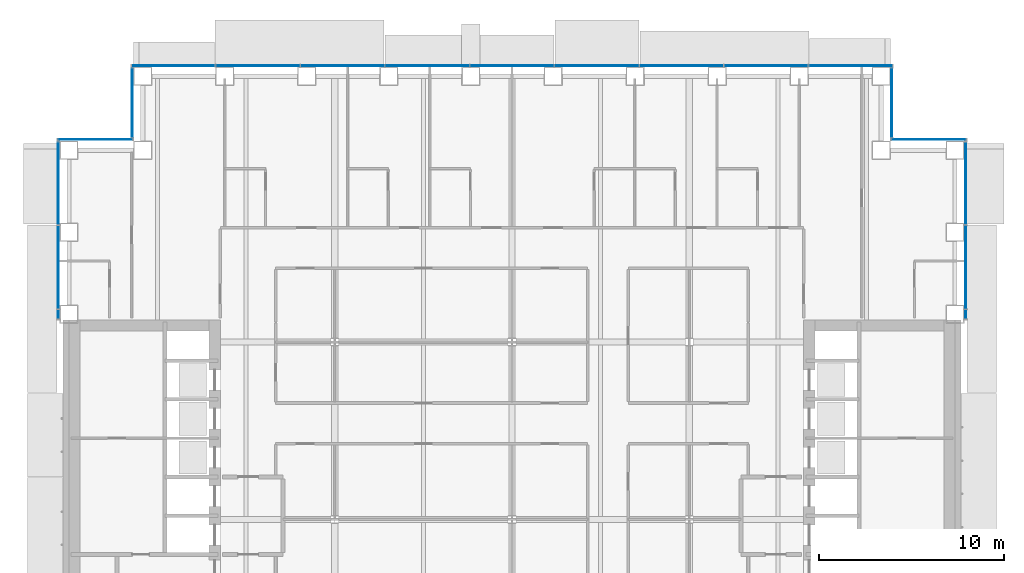
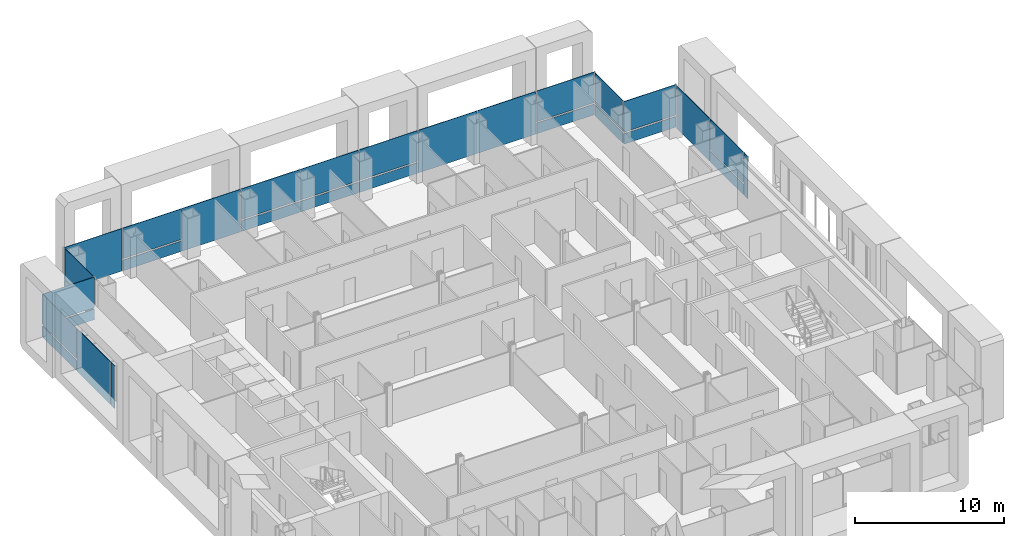
# One storey, part 13 of 25: 30 plates, 7 elements without a shape of their own.
"""IFC4 building model written with IfcOpenShell, lengths in metres."""

from ifc_helpers import new_model, si_unit, direction, frame, origin, origin_2d, place, context, subcontext, project, spatial, rectangle, extrude, material, layer, layer_set, type_object, element, aggregate, save


model = new_model("IFC4")

# Units and contexts
model_context = context("Model", 3, precision=1e-05, world=origin(), true_north=direction((0.0, 1.0)))
body_context = subcontext(model_context, "Body", "Model", "MODEL_VIEW")
ifc_project = project(units=[si_unit("LENGTHUNIT", "METRE"), si_unit("AREAUNIT", "SQUARE_METRE"), si_unit("VOLUMEUNIT", "CUBIC_METRE"), si_unit("PLANEANGLEUNIT", "RADIAN"), si_unit("MASSUNIT", "GRAM", prefix="KILO")], contexts=[model_context])

# Site, building, storey
site_placement = place(None, origin())
site = spatial("IfcSite", under=ifc_project, at=site_placement, CompositionType="ELEMENT")
building_placement = place(site_placement, origin())
building = spatial("IfcBuilding", under=site, at=building_placement, Name="Cobrizo Arcos Hotel Tower", CompositionType="ELEMENT")
storey_placement = place(building_placement, frame((0.0, 0.0, 53.0)))
storey = spatial("IfcBuildingStorey", under=building, at=storey_placement, Name="L11", CompositionType="ELEMENT", Elevation=53.0)

# Curtain wall, plate
ifc_material_1 = material(Name="Aluminium 6063-T6 anodised bronze", Category="aluminium")
curtain_wall_type = type_object("IfcCurtainWallType", Name="CW-A guest facade", PredefinedType="NOTDEFINED", material=ifc_material_1)
curtain_wall_1_placement = place(storey_placement, origin())
curtain_wall_1 = element("IfcCurtainWall", 1, at=curtain_wall_1_placement, inside=storey, type_object=curtain_wall_type, Name="CW-A L11 E face", PredefinedType="NOTDEFINED")
ifc_material_2 = material(Name="Glass clear laminated low-e", Category="glass")
ifc_layer_1 = layer(ifc_material_2, 0.0400390625)
ifc_layer_set_1 = layer_set([ifc_layer_1], Name="CW-A glass panel")
plate_type_1 = type_object("IfcPlateType", Name="CW-A glass panel", PredefinedType="CURTAIN_PANEL", material=ifc_layer_set_1)
plate_1_placement = place(storey_placement, frame((24.574951171875, 13.666748046875, 0.990234375), z_axis=(0.0, 0.0, 1.0), x_axis=(0.0, 1.0, 0.0)))
plate_1 = element("IfcPlate", 2, at=plate_1_placement, type_object=plate_type_1, Name="CW-A glass panel 528", PredefinedType="CURTAIN_PANEL", context=body_context, shape_type="SweptSolid", body=[
    extrude(rectangle(XDim=4.49560546875, YDim=0.0400390625, at=origin_2d()), origin(), (0.0, 0.0, 1.0), 2.510009765625),
])

curtain_wall_2_placement = place(storey_placement, origin())
curtain_wall_2 = element("IfcCurtainWall", 3, at=curtain_wall_2_placement, inside=storey, type_object=curtain_wall_type, Name="CW-A L11 N face", PredefinedType="NOTDEFINED")
plate_2_placement = place(storey_placement, frame((22.574951171875, 20.574951171875, 0.990234375), z_axis=(0.0, 0.0, 1.0), x_axis=(-1.0, 0.0, 0.0)))
plate_2 = element("IfcPlate", 4, at=plate_2_placement, type_object=plate_type_1, Name="CW-A glass panel 530", PredefinedType="CURTAIN_PANEL", context=body_context, shape_type="SweptSolid", body=[
    extrude(rectangle(XDim=4.030029296875, YDim=0.0400390625, at=origin_2d()), origin(), (0.0, 0.0, 1.0), 2.510009765625),
])

curtain_wall_3_placement = place(storey_placement, origin())
curtain_wall_3 = element("IfcCurtainWall", 5, at=curtain_wall_3_placement, inside=storey, type_object=curtain_wall_type, Name="CW-A L11 E face", PredefinedType="NOTDEFINED")
plate_3_placement = place(storey_placement, frame((20.574951171875, 22.574951171875, 0.990234375), z_axis=(0.0, 0.0, 1.0), x_axis=(0.0, 1.0, 0.0)))
plate_3 = element("IfcPlate", 6, at=plate_3_placement, type_object=plate_type_1, Name="CW-A glass panel 531", PredefinedType="CURTAIN_PANEL", context=body_context, shape_type="SweptSolid", body=[
    extrude(rectangle(XDim=3.72998046875, YDim=0.0400390625, at=origin_2d()), origin(), (0.0, 0.0, 1.0), 2.510009765625),
])

# Curtain wall, plates
curtain_wall_4_placement = place(storey_placement, origin())
curtain_wall_4 = element("IfcCurtainWall", 7, at=curtain_wall_4_placement, inside=storey, type_object=curtain_wall_type, Name="CW-A L11 N face", PredefinedType="NOTDEFINED")
plate_4_placement = place(storey_placement, frame((18.340576171875, 24.574951171875, 0.990234375), z_axis=(0.0, 0.0, 1.0), x_axis=(-1.0, 0.0, 0.0)))
plate_4 = element("IfcPlate", 8, at=plate_4_placement, type_object=plate_type_1, Name="CW-A glass panel 532", PredefinedType="CURTAIN_PANEL", context=body_context, shape_type="SweptSolid", body=[
    extrude(rectangle(XDim=4.498779296875, YDim=0.0400390625, at=origin_2d()), origin(), (0.0, 0.0, 1.0), 2.510009765625),
])
plate_5_placement = place(storey_placement, frame((4.5888671875, 24.574951171875, 0.990234375), z_axis=(0.0, 0.0, 1.0), x_axis=(-1.0, 0.0, 0.0)))
plate_5 = element("IfcPlate", 9, at=plate_5_placement, type_object=plate_type_1, Name="CW-A glass panel 535", PredefinedType="CURTAIN_PANEL", context=body_context, shape_type="SweptSolid", body=[
    extrude(rectangle(XDim=4.52880859375, YDim=0.0400390625, at=origin_2d()), origin(), (0.0, 0.0, 1.0), 2.510009765625),
])
plate_6_placement = place(storey_placement, frame((0.0, 24.574951171875, 0.990234375), z_axis=(0.0, 0.0, 1.0), x_axis=(-1.0, 0.0, 0.0)))
plate_6 = element("IfcPlate", 10, at=plate_6_placement, type_object=plate_type_1, Name="CW-A glass panel 536", PredefinedType="CURTAIN_PANEL", context=body_context, shape_type="SweptSolid", body=[
    extrude(rectangle(XDim=4.52880859375, YDim=0.0400390625, at=origin_2d()), origin(), (0.0, 0.0, 1.0), 2.510009765625),
])
plate_7_placement = place(storey_placement, frame((-4.5888671875, 24.574951171875, 0.990234375), z_axis=(0.0, 0.0, 1.0), x_axis=(-1.0, 0.0, 0.0)))
plate_7 = element("IfcPlate", 11, at=plate_7_placement, type_object=plate_type_1, Name="CW-A glass panel 537", PredefinedType="CURTAIN_PANEL", context=body_context, shape_type="SweptSolid", body=[
    extrude(rectangle(XDim=4.52880859375, YDim=0.0400390625, at=origin_2d()), origin(), (0.0, 0.0, 1.0), 2.510009765625),
])
plate_8_placement = place(storey_placement, frame((-13.7666015625, 24.574951171875, 0.990234375), z_axis=(0.0, 0.0, 1.0), x_axis=(-1.0, 0.0, 0.0)))
plate_8 = element("IfcPlate", 12, at=plate_8_placement, type_object=plate_type_1, Name="CW-A glass panel 539", PredefinedType="CURTAIN_PANEL", context=body_context, shape_type="SweptSolid", body=[
    extrude(rectangle(XDim=4.52880859375, YDim=0.0400390625, at=origin_2d()), origin(), (0.0, 0.0, 1.0), 2.510009765625),
])

# Curtain wall, plate
curtain_wall_5_placement = place(storey_placement, origin())
curtain_wall_5 = element("IfcCurtainWall", 13, at=curtain_wall_5_placement, inside=storey, type_object=curtain_wall_type, Name="CW-A L11 W face", PredefinedType="NOTDEFINED")
plate_9_placement = place(storey_placement, frame((-20.574951171875, 22.574951171875, 0.990234375), z_axis=(0.0, 0.0, 1.0), x_axis=(0.0, -1.0, 0.0)))
plate_9 = element("IfcPlate", 14, at=plate_9_placement, type_object=plate_type_1, Name="CW-A glass panel 541", PredefinedType="CURTAIN_PANEL", context=body_context, shape_type="SweptSolid", body=[
    extrude(rectangle(XDim=3.72998046875, YDim=0.0400390625, at=origin_2d()), origin(), (0.0, 0.0, 1.0), 2.510009765625),
])

curtain_wall_6_placement = place(storey_placement, origin())
curtain_wall_6 = element("IfcCurtainWall", 15, at=curtain_wall_6_placement, inside=storey, type_object=curtain_wall_type, Name="CW-A L11 N face", PredefinedType="NOTDEFINED")
plate_10_placement = place(storey_placement, frame((-22.574951171875, 20.574951171875, 0.990234375), z_axis=(0.0, 0.0, 1.0), x_axis=(-1.0, 0.0, 0.0)))
plate_10 = element("IfcPlate", 16, at=plate_10_placement, type_object=plate_type_1, Name="CW-A glass panel 542", PredefinedType="CURTAIN_PANEL", context=body_context, shape_type="SweptSolid", body=[
    extrude(rectangle(XDim=4.030029296875, YDim=0.0400390625, at=origin_2d()), origin(), (0.0, 0.0, 1.0), 2.510009765625),
])

curtain_wall_7_placement = place(storey_placement, origin())
curtain_wall_7 = element("IfcCurtainWall", 17, at=curtain_wall_7_placement, inside=storey, type_object=curtain_wall_type, Name="CW-A L11 W face", PredefinedType="NOTDEFINED")
plate_11_placement = place(storey_placement, frame((-24.574951171875, 18.207275390625, 0.990234375), z_axis=(0.0, 0.0, 1.0), x_axis=(0.0, -1.0, 0.0)))
plate_11 = element("IfcPlate", 18, at=plate_11_placement, type_object=plate_type_1, Name="CW-A glass panel 543", PredefinedType="CURTAIN_PANEL", context=body_context, shape_type="SweptSolid", body=[
    extrude(rectangle(XDim=4.465576171875, YDim=0.0400390625, at=origin_2d()), origin(), (0.0, 0.0, 1.0), 2.510009765625),
])

# Plate
ifc_material_3 = material(Name="Aluminium composite panel pale metal", Category="aluminium")
ifc_layer_2 = layer(ifc_material_3, 0.0400390625)
ifc_layer_set_2 = layer_set([ifc_layer_2], Name="CW-A spandrel panel")
plate_type_2 = type_object("IfcPlateType", Name="CW-A spandrel panel", PredefinedType="CURTAIN_PANEL", material=ifc_layer_set_2)
plate_12_placement = place(storey_placement, frame((24.574951171875, 11.109375, 0.0), z_axis=(0.0, 0.0, 1.0), x_axis=(0.0, 1.0, 0.0)))
plate_12 = element("IfcPlate", 19, at=plate_12_placement, type_object=plate_type_2, Name="CW-A spandrel panel 527", PredefinedType="CURTAIN_PANEL", context=body_context, shape_type="SweptSolid", body=[
    extrude(rectangle(XDim=0.498779296875, YDim=0.0400390625, at=origin_2d()), origin(), (0.0, 0.0, 1.0), 3.5),
])

plate_13_placement = place(storey_placement, frame((24.574951171875, 13.666748046875, 0.0), z_axis=(0.0, 0.0, 1.0), x_axis=(0.0, 1.0, 0.0)))
plate_13 = element("IfcPlate", 20, at=plate_13_placement, type_object=plate_type_2, Name="CW-A spandrel panel 528", PredefinedType="CURTAIN_PANEL", context=body_context, shape_type="SweptSolid", body=[
    extrude(rectangle(XDim=4.49560546875, YDim=0.0400390625, at=origin_2d()), origin(), (0.0, 0.0, 1.0), 0.8701171875),
])

plate_14_placement = place(storey_placement, frame((24.574951171875, 18.207275390625, 0.0), z_axis=(0.0, 0.0, 1.0), x_axis=(0.0, 1.0, 0.0)))
plate_14 = element("IfcPlate", 21, at=plate_14_placement, type_object=plate_type_2, Name="CW-A spandrel panel 529", PredefinedType="CURTAIN_PANEL", context=body_context, shape_type="SweptSolid", body=[
    extrude(rectangle(XDim=4.465576171875, YDim=0.0400390625, at=origin_2d()), origin(), (0.0, 0.0, 1.0), 3.5),
])

aggregate(curtain_wall_1, [plate_12, plate_13, plate_1, plate_14])

plate_15_placement = place(storey_placement, frame((22.574951171875, 20.574951171875, 0.0), z_axis=(0.0, 0.0, 1.0), x_axis=(-1.0, 0.0, 0.0)))
plate_15 = element("IfcPlate", 22, at=plate_15_placement, type_object=plate_type_2, Name="CW-A spandrel panel 530", PredefinedType="CURTAIN_PANEL", context=body_context, shape_type="SweptSolid", body=[
    extrude(rectangle(XDim=4.030029296875, YDim=0.0400390625, at=origin_2d()), origin(), (0.0, 0.0, 1.0), 0.8701171875),
])

aggregate(curtain_wall_2, [plate_15, plate_2])

plate_16_placement = place(storey_placement, frame((20.574951171875, 22.574951171875, 0.0), z_axis=(0.0, 0.0, 1.0), x_axis=(0.0, 1.0, 0.0)))
plate_16 = element("IfcPlate", 23, at=plate_16_placement, type_object=plate_type_2, Name="CW-A spandrel panel 531", PredefinedType="CURTAIN_PANEL", context=body_context, shape_type="SweptSolid", body=[
    extrude(rectangle(XDim=3.72998046875, YDim=0.0400390625, at=origin_2d()), origin(), (0.0, 0.0, 1.0), 0.8701171875),
])

aggregate(curtain_wall_3, [plate_16, plate_3])

plate_17_placement = place(storey_placement, frame((18.340576171875, 24.574951171875, 0.0), z_axis=(0.0, 0.0, 1.0), x_axis=(-1.0, 0.0, 0.0)))
plate_17 = element("IfcPlate", 24, at=plate_17_placement, type_object=plate_type_2, Name="CW-A spandrel panel 532", PredefinedType="CURTAIN_PANEL", context=body_context, shape_type="SweptSolid", body=[
    extrude(rectangle(XDim=4.498779296875, YDim=0.0400390625, at=origin_2d()), origin(), (0.0, 0.0, 1.0), 0.8701171875),
])

plate_18_placement = place(storey_placement, frame((13.7666015625, 24.574951171875, 0.0), z_axis=(0.0, 0.0, 1.0), x_axis=(-1.0, 0.0, 0.0)))
plate_18 = element("IfcPlate", 25, at=plate_18_placement, type_object=plate_type_2, Name="CW-A spandrel panel 533", PredefinedType="CURTAIN_PANEL", context=body_context, shape_type="SweptSolid", body=[
    extrude(rectangle(XDim=4.52880859375, YDim=0.0400390625, at=origin_2d()), origin(), (0.0, 0.0, 1.0), 3.5),
])

plate_19_placement = place(storey_placement, frame((9.177734375, 24.574951171875, 0.0), z_axis=(0.0, 0.0, 1.0), x_axis=(-1.0, 0.0, 0.0)))
plate_19 = element("IfcPlate", 26, at=plate_19_placement, type_object=plate_type_2, Name="CW-A spandrel panel 534", PredefinedType="CURTAIN_PANEL", context=body_context, shape_type="SweptSolid", body=[
    extrude(rectangle(XDim=4.52880859375, YDim=0.0400390625, at=origin_2d()), origin(), (0.0, 0.0, 1.0), 3.5),
])

plate_20_placement = place(storey_placement, frame((4.5888671875, 24.574951171875, 0.0), z_axis=(0.0, 0.0, 1.0), x_axis=(-1.0, 0.0, 0.0)))
plate_20 = element("IfcPlate", 27, at=plate_20_placement, type_object=plate_type_2, Name="CW-A spandrel panel 535", PredefinedType="CURTAIN_PANEL", context=body_context, shape_type="SweptSolid", body=[
    extrude(rectangle(XDim=4.52880859375, YDim=0.0400390625, at=origin_2d()), origin(), (0.0, 0.0, 1.0), 0.8701171875),
])

plate_21_placement = place(storey_placement, frame((0.0, 24.574951171875, 0.0), z_axis=(0.0, 0.0, 1.0), x_axis=(-1.0, 0.0, 0.0)))
plate_21 = element("IfcPlate", 28, at=plate_21_placement, type_object=plate_type_2, Name="CW-A spandrel panel 536", PredefinedType="CURTAIN_PANEL", context=body_context, shape_type="SweptSolid", body=[
    extrude(rectangle(XDim=4.52880859375, YDim=0.0400390625, at=origin_2d()), origin(), (0.0, 0.0, 1.0), 0.8701171875),
])

plate_22_placement = place(storey_placement, frame((-4.5888671875, 24.574951171875, 0.0), z_axis=(0.0, 0.0, 1.0), x_axis=(-1.0, 0.0, 0.0)))
plate_22 = element("IfcPlate", 29, at=plate_22_placement, type_object=plate_type_2, Name="CW-A spandrel panel 537", PredefinedType="CURTAIN_PANEL", context=body_context, shape_type="SweptSolid", body=[
    extrude(rectangle(XDim=4.52880859375, YDim=0.0400390625, at=origin_2d()), origin(), (0.0, 0.0, 1.0), 0.8701171875),
])

plate_23_placement = place(storey_placement, frame((-9.177734375, 24.574951171875, 0.0), z_axis=(0.0, 0.0, 1.0), x_axis=(-1.0, 0.0, 0.0)))
plate_23 = element("IfcPlate", 30, at=plate_23_placement, type_object=plate_type_2, Name="CW-A spandrel panel 538", PredefinedType="CURTAIN_PANEL", context=body_context, shape_type="SweptSolid", body=[
    extrude(rectangle(XDim=4.52880859375, YDim=0.0400390625, at=origin_2d()), origin(), (0.0, 0.0, 1.0), 3.5),
])

plate_24_placement = place(storey_placement, frame((-13.7666015625, 24.574951171875, 0.0), z_axis=(0.0, 0.0, 1.0), x_axis=(-1.0, 0.0, 0.0)))
plate_24 = element("IfcPlate", 31, at=plate_24_placement, type_object=plate_type_2, Name="CW-A spandrel panel 539", PredefinedType="CURTAIN_PANEL", context=body_context, shape_type="SweptSolid", body=[
    extrude(rectangle(XDim=4.52880859375, YDim=0.0400390625, at=origin_2d()), origin(), (0.0, 0.0, 1.0), 0.8701171875),
])

plate_25_placement = place(storey_placement, frame((-18.340576171875, 24.574951171875, 0.0), z_axis=(0.0, 0.0, 1.0), x_axis=(-1.0, 0.0, 0.0)))
plate_25 = element("IfcPlate", 32, at=plate_25_placement, type_object=plate_type_2, Name="CW-A spandrel panel 540", PredefinedType="CURTAIN_PANEL", context=body_context, shape_type="SweptSolid", body=[
    extrude(rectangle(XDim=4.498779296875, YDim=0.0400390625, at=origin_2d()), origin(), (0.0, 0.0, 1.0), 3.5),
])

aggregate(curtain_wall_4, [plate_17, plate_4, plate_18, plate_19, plate_20, plate_5, plate_21, plate_6, plate_22, plate_7, plate_23, plate_24, plate_8, plate_25])

plate_26_placement = place(storey_placement, frame((-20.574951171875, 22.574951171875, 0.0), z_axis=(0.0, 0.0, 1.0), x_axis=(0.0, -1.0, 0.0)))
plate_26 = element("IfcPlate", 33, at=plate_26_placement, type_object=plate_type_2, Name="CW-A spandrel panel 541", PredefinedType="CURTAIN_PANEL", context=body_context, shape_type="SweptSolid", body=[
    extrude(rectangle(XDim=3.72998046875, YDim=0.0400390625, at=origin_2d()), origin(), (0.0, 0.0, 1.0), 0.8701171875),
])

aggregate(curtain_wall_5, [plate_26, plate_9])

plate_27_placement = place(storey_placement, frame((-22.574951171875, 20.574951171875, 0.0), z_axis=(0.0, 0.0, 1.0), x_axis=(-1.0, 0.0, 0.0)))
plate_27 = element("IfcPlate", 34, at=plate_27_placement, type_object=plate_type_2, Name="CW-A spandrel panel 542", PredefinedType="CURTAIN_PANEL", context=body_context, shape_type="SweptSolid", body=[
    extrude(rectangle(XDim=4.030029296875, YDim=0.0400390625, at=origin_2d()), origin(), (0.0, 0.0, 1.0), 0.8701171875),
])

aggregate(curtain_wall_6, [plate_27, plate_10])

plate_28_placement = place(storey_placement, frame((-24.574951171875, 18.207275390625, 0.0), z_axis=(0.0, 0.0, 1.0), x_axis=(0.0, -1.0, 0.0)))
plate_28 = element("IfcPlate", 35, at=plate_28_placement, type_object=plate_type_2, Name="CW-A spandrel panel 543", PredefinedType="CURTAIN_PANEL", context=body_context, shape_type="SweptSolid", body=[
    extrude(rectangle(XDim=4.465576171875, YDim=0.0400390625, at=origin_2d()), origin(), (0.0, 0.0, 1.0), 0.8701171875),
])

plate_29_placement = place(storey_placement, frame((-24.574951171875, 13.666748046875, 0.0), z_axis=(0.0, 0.0, 1.0), x_axis=(0.0, -1.0, 0.0)))
plate_29 = element("IfcPlate", 36, at=plate_29_placement, type_object=plate_type_2, Name="CW-A spandrel panel 544", PredefinedType="CURTAIN_PANEL", context=body_context, shape_type="SweptSolid", body=[
    extrude(rectangle(XDim=4.49560546875, YDim=0.0400390625, at=origin_2d()), origin(), (0.0, 0.0, 1.0), 3.5),
])

plate_30_placement = place(storey_placement, frame((-24.574951171875, 11.109375, 0.0), z_axis=(0.0, 0.0, 1.0), x_axis=(0.0, -1.0, 0.0)))
plate_30 = element("IfcPlate", 37, at=plate_30_placement, type_object=plate_type_2, Name="CW-A spandrel panel 545", PredefinedType="CURTAIN_PANEL", context=body_context, shape_type="SweptSolid", body=[
    extrude(rectangle(XDim=0.498779296875, YDim=0.0400390625, at=origin_2d()), origin(), (0.0, 0.0, 1.0), 3.5),
])

aggregate(curtain_wall_7, [plate_28, plate_11, plate_29, plate_30])

save(model, "model.ifc")
